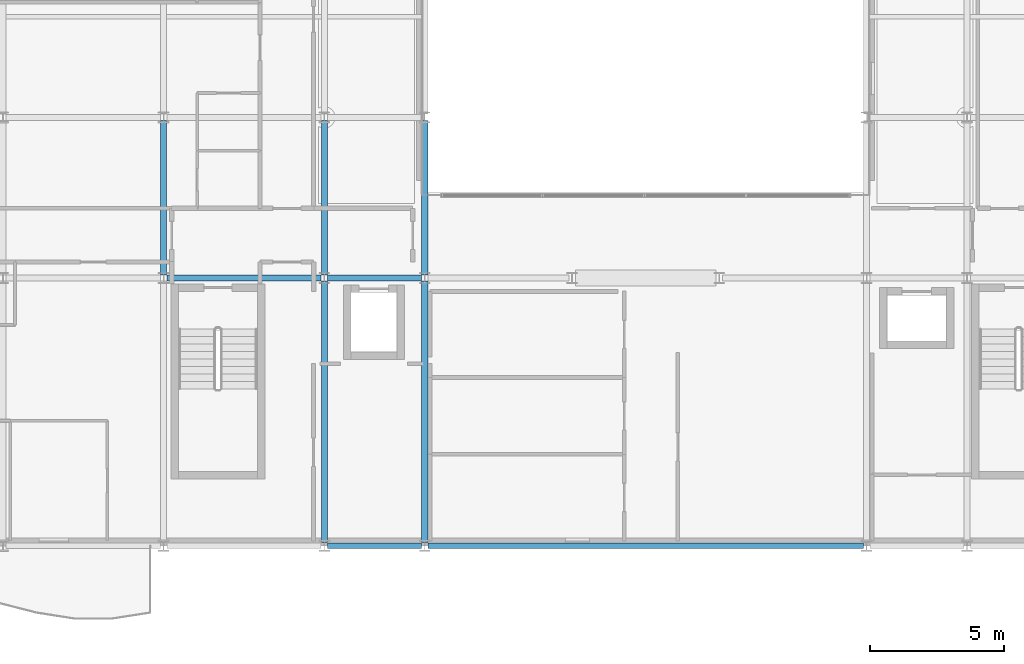
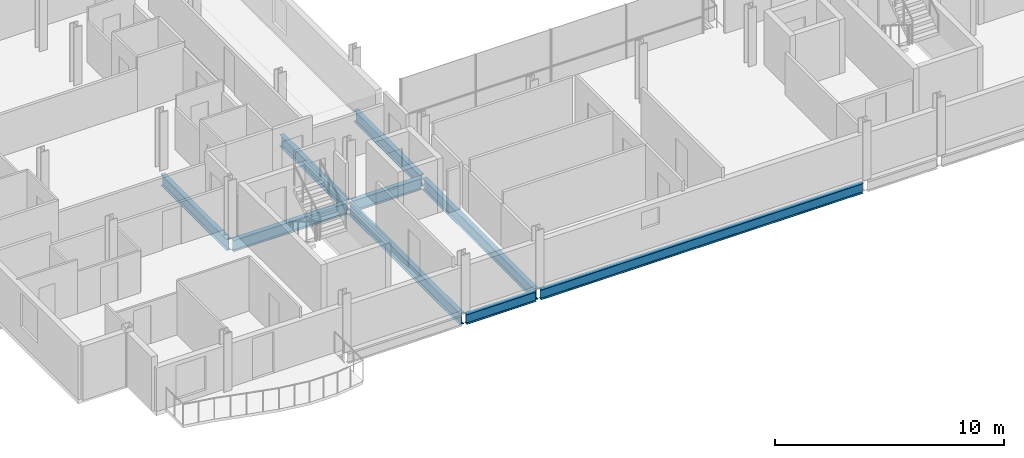
# One storey, part 5 of 41: 9 beams.
"""IFC4 building model written with IfcOpenShell, lengths in metres."""

from ifc_helpers import new_model, si_unit, direction, frame, origin, origin_2d, place, context, subcontext, project, spatial, i_section, extrude, material, material_profile, profile_set, type_object, element, save


model = new_model("IFC4")

# Units and contexts
model_context = context("Model", 3, precision=1e-05, world=origin(), true_north=direction((0.0, 1.0)))
body_context = subcontext(model_context, "Body", "Model", "MODEL_VIEW")
ifc_project = project(units=[si_unit("LENGTHUNIT", "METRE"), si_unit("AREAUNIT", "SQUARE_METRE"), si_unit("VOLUMEUNIT", "CUBIC_METRE"), si_unit("PLANEANGLEUNIT", "RADIAN"), si_unit("MASSUNIT", "GRAM", prefix="KILO")], contexts=[model_context])

# Site, building, storey
site_placement = place(None, origin())
site = spatial("IfcSite", under=ifc_project, at=site_placement, CompositionType="ELEMENT")
building_placement = place(site_placement, origin())
building = spatial("IfcBuilding", under=site, at=building_placement, Name="Brevholm Reach", CompositionType="ELEMENT")
storey_placement = place(building_placement, frame((0.0, 0.0, 138.699951171875)))
storey = spatial("IfcBuildingStorey", under=building, at=storey_placement, Name="L41", CompositionType="ELEMENT", Elevation=138.699951171875)

# Beams
ifc_material_1 = material(Name="Structural Steel S355J2", Category="steel")
ifc_material_profile_1 = material_profile(ifc_material_1, i_section(OverallWidth=0.209228515625, OverallDepth=0.533203125, WebThickness=0.010009765625, FlangeThickness=0.015625, FilletRadius=0.0126953125, at=origin_2d()), Name="UKB 533x210x92")
ifc_profile_set_1 = profile_set([ifc_material_profile_1], Name="Structural Steel S355J2")
beam_type_1 = type_object("IfcBeamType", Name="BM-SP533", PredefinedType="SPANDREL", material=ifc_profile_set_1)
beam_1_placement = place(storey_placement, frame((18.1201171875, 0.0, -0.486572265625), z_axis=(1.0, 0.0, 0.0), x_axis=(0.0, 1.0, 0.0)))
element("IfcBeam", 1, at=beam_1_placement, inside=storey, type_object=beam_type_1, Name="L41 SP-02 Framing Beam", PredefinedType="SPANDREL", context=body_context, shape_type="SweptSolid", body=[
    extrude(i_section(OverallWidth=0.209228515625, OverallDepth=0.533203125, WebThickness=0.010009765625, FlangeThickness=0.015625, FilletRadius=0.0126953125, at=origin_2d()), origin(), (0.0, 0.0, 1.0), 3.509765625),
])
beam_2_placement = place(storey_placement, frame((21.8701171875, 0.0, -0.486572265625), z_axis=(1.0, 0.0, 0.0), x_axis=(0.0, 1.0, 0.0)))
element("IfcBeam", 2, at=beam_2_placement, inside=storey, type_object=beam_type_1, Name="L41 SP-02 Framing Beam", PredefinedType="SPANDREL", context=body_context, shape_type="SweptSolid", body=[
    extrude(i_section(OverallWidth=0.209228515625, OverallDepth=0.533203125, WebThickness=0.010009765625, FlangeThickness=0.015625, FilletRadius=0.0126953125, at=origin_2d()), origin(), (0.0, 0.0, 1.0), 16.259765625),
])
ifc_material_2 = material(Name="Structural Steel S355J2", Category="steel")
ifc_material_profile_2 = material_profile(ifc_material_2, i_section(OverallWidth=0.22900390625, OverallDepth=0.6123046875, WebThickness=0.011962890625, FlangeThickness=0.01953125, FilletRadius=0.0126953125, at=origin_2d()), Name="UKB 610x229x125")
ifc_profile_set_2 = profile_set([ifc_material_profile_2], Name="Structural Steel S355J2")
beam_type_2 = type_object("IfcBeamType", Name="BM-SP610", PredefinedType="SPANDREL", material=ifc_profile_set_2)
beam_3_placement = place(storey_placement, frame((12.1201171875, 10.0, -0.526123046875), z_axis=(1.0, 0.0, 0.0), x_axis=(0.0, 1.0, 0.0)))
element("IfcBeam", 3, at=beam_3_placement, inside=storey, type_object=beam_type_2, Name="L41 SP-01 Framing Beam", PredefinedType="SPANDREL", context=body_context, shape_type="SweptSolid", body=[
    extrude(i_section(OverallWidth=0.22900390625, OverallDepth=0.6123046875, WebThickness=0.011962890625, FlangeThickness=0.01953125, FilletRadius=0.0126953125, at=origin_2d()), origin(), (0.0, 0.0, 1.0), 5.759765625),
])
beam_4_placement = place(storey_placement, frame((18.1201171875, 10.0, -0.526123046875), z_axis=(1.0, 0.0, 0.0), x_axis=(0.0, 1.0, 0.0)))
element("IfcBeam", 4, at=beam_4_placement, inside=storey, type_object=beam_type_2, Name="L41 SP-01 Framing Beam", PredefinedType="SPANDREL", context=body_context, shape_type="SweptSolid", body=[
    extrude(i_section(OverallWidth=0.22900390625, OverallDepth=0.6123046875, WebThickness=0.011962890625, FlangeThickness=0.01953125, FilletRadius=0.0126953125, at=origin_2d()), origin(), (0.0, 0.0, 1.0), 3.509765625),
])
beam_5_placement = place(storey_placement, frame((12.0, 10.1201171875, -0.526123046875), z_axis=(0.0, 1.0, 0.0), x_axis=(-1.0, 0.0, 0.0)))
element("IfcBeam", 5, at=beam_5_placement, inside=storey, type_object=beam_type_2, Name="L41 SP-01 Framing Beam", PredefinedType="SPANDREL", context=body_context, shape_type="SweptSolid", body=[
    extrude(i_section(OverallWidth=0.22900390625, OverallDepth=0.6123046875, WebThickness=0.011962890625, FlangeThickness=0.01953125, FilletRadius=0.0126953125, at=origin_2d()), origin(), (0.0, 0.0, 1.0), 5.759765625),
])
beam_6_placement = place(storey_placement, frame((18.0, 0.1201171875, -0.526123046875), z_axis=(0.0, 1.0, 0.0), x_axis=(-1.0, 0.0, 0.0)))
element("IfcBeam", 6, at=beam_6_placement, inside=storey, type_object=beam_type_2, Name="L41 SP-01 Framing Beam", PredefinedType="SPANDREL", context=body_context, shape_type="SweptSolid", body=[
    extrude(i_section(OverallWidth=0.22900390625, OverallDepth=0.6123046875, WebThickness=0.011962890625, FlangeThickness=0.01953125, FilletRadius=0.0126953125, at=origin_2d()), origin(), (0.0, 0.0, 1.0), 9.759765625),
])
beam_7_placement = place(storey_placement, frame((18.0, 10.1201171875, -0.526123046875), z_axis=(0.0, 1.0, 0.0), x_axis=(-1.0, 0.0, 0.0)))
element("IfcBeam", 7, at=beam_7_placement, inside=storey, type_object=beam_type_2, Name="L41 SP-01 Framing Beam", PredefinedType="SPANDREL", context=body_context, shape_type="SweptSolid", body=[
    extrude(i_section(OverallWidth=0.22900390625, OverallDepth=0.6123046875, WebThickness=0.011962890625, FlangeThickness=0.01953125, FilletRadius=0.0126953125, at=origin_2d()), origin(), (0.0, 0.0, 1.0), 5.759765625),
])
beam_8_placement = place(storey_placement, frame((21.75, 0.1201171875, -0.526123046875), z_axis=(0.0, 1.0, 0.0), x_axis=(-1.0, 0.0, 0.0)))
element("IfcBeam", 8, at=beam_8_placement, inside=storey, type_object=beam_type_2, Name="L41 SP-01 Framing Beam", PredefinedType="SPANDREL", context=body_context, shape_type="SweptSolid", body=[
    extrude(i_section(OverallWidth=0.22900390625, OverallDepth=0.6123046875, WebThickness=0.011962890625, FlangeThickness=0.01953125, FilletRadius=0.0126953125, at=origin_2d()), origin(), (0.0, 0.0, 1.0), 9.759765625),
])
beam_9_placement = place(storey_placement, frame((21.75, 10.1201171875, -0.526123046875), z_axis=(0.0, 1.0, 0.0), x_axis=(-1.0, 0.0, 0.0)))
element("IfcBeam", 9, at=beam_9_placement, inside=storey, type_object=beam_type_2, Name="L41 SP-01 Framing Beam", PredefinedType="SPANDREL", context=body_context, shape_type="SweptSolid", body=[
    extrude(i_section(OverallWidth=0.22900390625, OverallDepth=0.6123046875, WebThickness=0.011962890625, FlangeThickness=0.01953125, FilletRadius=0.0126953125, at=origin_2d()), origin(), (0.0, 0.0, 1.0), 5.759765625),
])

save(model, "model.ifc")
